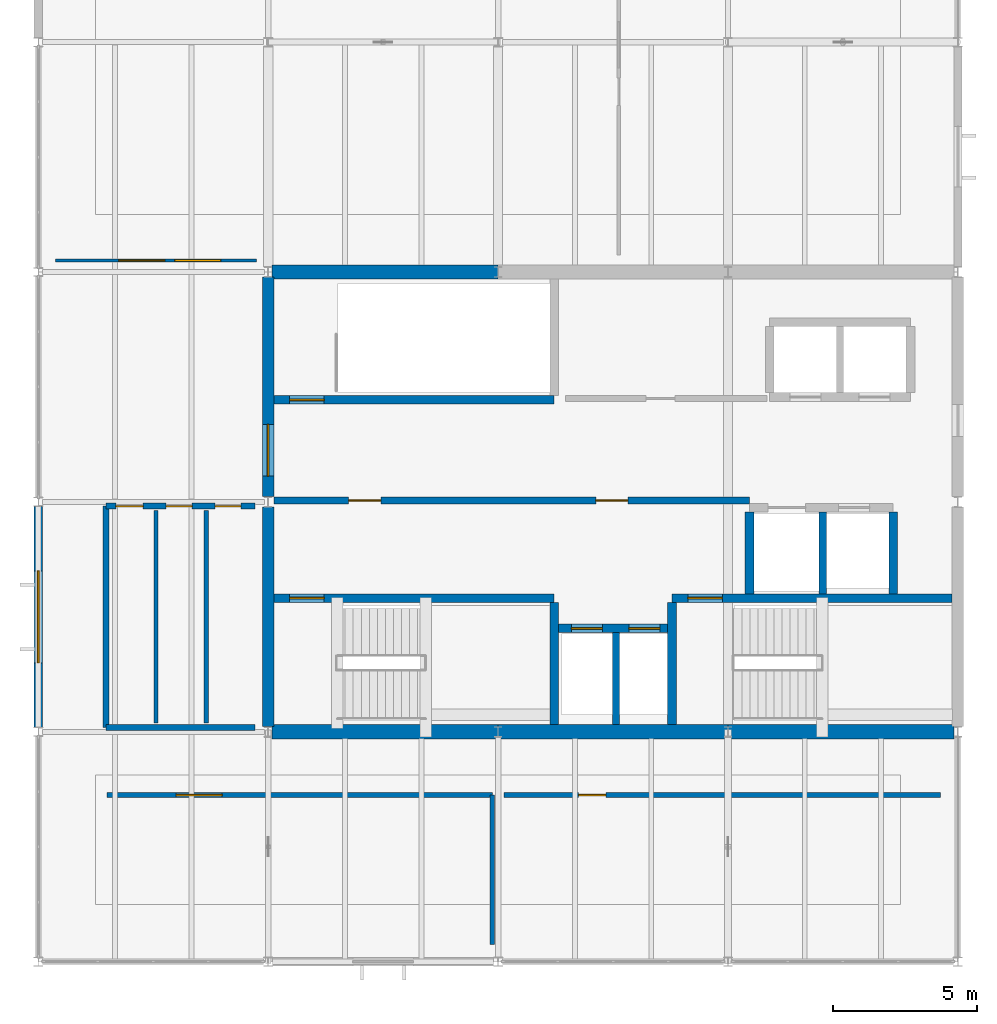
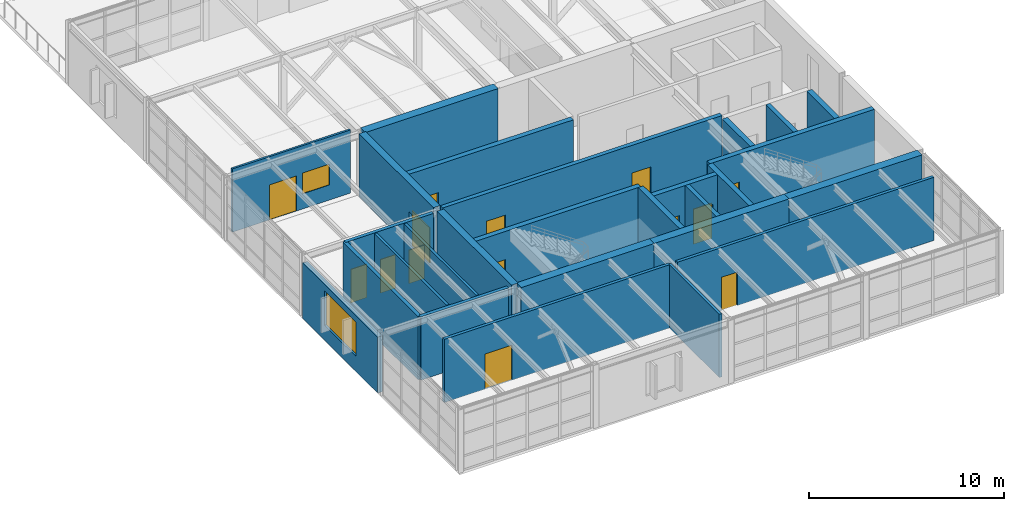
# One storey, part 13 of 15: 27 walls, 14 doors, 2 windows, 16 openings.
"""IFC4 building model written with IfcOpenShell, lengths in metres."""

from ifc_helpers import new_model, si_unit, direction, frame, frame_2d, origin, place, context, subcontext, project, spatial, rectangle, extrude, material, layer, layer_set, type_object, element, fill, save


model = new_model("IFC4")

# Units and contexts
model_context = context("Model", 3, precision=1e-05, world=origin(), true_north=direction((0.0, 1.0)))
body_context = subcontext(model_context, "Body", "Model", "MODEL_VIEW")
ifc_project = project(units=[si_unit("LENGTHUNIT", "METRE"), si_unit("AREAUNIT", "SQUARE_METRE"), si_unit("VOLUMEUNIT", "CUBIC_METRE"), si_unit("PLANEANGLEUNIT", "RADIAN"), si_unit("MASSUNIT", "GRAM", prefix="KILO")], contexts=[model_context])

# Site, building, storey
site_placement = place(None, origin())
site = spatial("IfcSite", under=ifc_project, at=site_placement, CompositionType="ELEMENT")
building_placement = place(site_placement, origin())
building = spatial("IfcBuilding", under=site, at=building_placement, Name="Varnela Railside Interchange", CompositionType="ELEMENT")
storey_placement = place(building_placement, frame((0.0, 0.0, 32.199951171875)))
storey = spatial("IfcBuildingStorey", under=building, at=storey_placement, Name="L07", CompositionType="ELEMENT", Elevation=32.199951171875)

# Walls
ifc_material_1 = material(Name="Gypsum acoustic board")
ifc_layer_1 = layer(ifc_material_1, 0.14990234375)
ifc_layer_set_1 = layer_set([ifc_layer_1], Name="Gypsum acoustic board")
wall_type_1 = type_object("IfcWallType", Name="Acoustic Drywall Partition IW-01", PredefinedType="PARTITIONING", material=ifc_layer_set_1)
for number, where, z_axis, x_axis, name in (
    (1, (8.10009765625, 54.300048828125, 0.0), (0.0, 0.0, 1.0), (0.0, 1.0, 0.0), "Acoustic Drywall Partition IW-01 (L07) (WL-1063)"),
    (2, (9.85009765625, 54.300048828125, 0.0), (0.0, 0.0, 1.0), (0.0, 1.0, 0.0), "Acoustic Drywall Partition IW-01 (L07) (WL-1064)"),
):
    element("IfcWall", number, at=place(storey_placement, frame(where, z_axis=z_axis, x_axis=x_axis)), inside=storey, type_object=wall_type_1, Name=name, PredefinedType="PARTITIONING", context=body_context, shape_type="SweptSolid", body=[
        extrude(rectangle(XDim=7.39990234375, YDim=0.14990234375, at=frame_2d((3.699951171875, 0.0))), origin(), (0.0, 0.0, 1.0), 3.9599609375),
    ])
wall_1_placement = place(storey_placement, frame((19.800048828125, 46.60009765625, 0.0), z_axis=(0.0, 0.0, 1.0), x_axis=(0.0, 1.0, 0.0)))
element("IfcWall", 3, at=wall_1_placement, inside=storey, type_object=wall_type_1, Name="Acoustic Drywall Partition IW-01 (L07) (WL-1057)", PredefinedType="PARTITIONING", context=body_context, shape_type="SweptSolid", body=[
    extrude(rectangle(XDim=5.199951171875, YDim=0.14990234375, at=frame_2d((2.60009765625, 0.0))), origin(), (0.0, 0.0, 1.0), 3.9599609375),
])
ifc_material_2 = material(Name="Concrete C50", Category="concrete")
ifc_layer_2 = layer(ifc_material_2, 0.39990234375)
ifc_layer_set_2 = layer_set([ifc_layer_2], Name="Concrete C50")
wall_type_2 = type_object("IfcWallType", Name="Core Coupling Shear Wall SW-02", PredefinedType="SHEAR", material=ifc_layer_set_2)
wall_2_placement = place(storey_placement, frame((12.0, 54.181396484375, 0.0), z_axis=(0.0, 0.0, 1.0), x_axis=(0.0, 1.0, 0.0)))
element("IfcWall", 4, at=wall_2_placement, inside=storey, type_object=wall_type_2, Name="Core Coupling Shear Wall SW-02 (L07) (WL-1049)", PredefinedType="SHEAR", context=body_context, shape_type="SweptSolid", body=[
    extrude(rectangle(XDim=7.63720703125, YDim=0.39990234375, at=frame_2d((3.818603515625, 0.0))), origin(), (0.0, 0.0, 1.0), 3.9599609375),
])

# Wall, opening, door
wall_3_placement = place(storey_placement, frame((12.0, 62.181396484375, 0.0), z_axis=(0.0, 0.0, 1.0), x_axis=(0.0, 1.0, 0.0)))
wall_3 = element("IfcWall", 5, at=wall_3_placement, inside=storey, type_object=wall_type_2, Name="Core Coupling Shear Wall SW-02 (L07) (WL-1050)", PredefinedType="SHEAR", context=body_context, shape_type="SweptSolid", body=[
    extrude(rectangle(XDim=7.63720703125, YDim=0.39990234375, at=frame_2d((3.818603515625, 0.0))), origin(), (0.0, 0.0, 1.0), 3.9599609375),
])
opening_1_placement = place(wall_3_placement, frame((0.718017578125, 0.0, 0.0)))
opening_1 = element("IfcOpeningElement", 6, at=opening_1_placement, cuts=wall_3, Name="Opening D-312", PredefinedType="OPENING", context=body_context, shape_type="SweptSolid", body=[
    extrude(rectangle(XDim=1.800048828125, YDim=2.199951171875, at=frame_2d((0.89990234375, 1.10009765625))), frame((0.0, 0.2099609375, 0.0), z_axis=(0.0, -1.0, 0.0), x_axis=(1.0, 0.0, 0.0)), (0.0, 0.0, 1.0), 0.419921875),
])
ifc_material_3 = material(Name="Steel AR 350 (350 MPa)", Category="steel")
door_type_1 = type_object("IfcDoorType", Name="DR-DBL-1800-FD60", OperationType="DOUBLE_DOOR_SINGLE_SWING", PredefinedType="DOOR", material=ifc_material_3)
door_1_placement = place(opening_1_placement, frame((1.800048828125, 0.0, 0.0), z_axis=(0.0, 0.0, 1.0), x_axis=(-1.0, 0.0, 0.0)))
door_1 = element("IfcDoor", 7, at=door_1_placement, inside=storey, type_object=door_type_1, Name="Door D-312", OperationType="DOUBLE_DOOR_SINGLE_SWING", OverallHeight=2.199951171875, OverallWidth=1.800048828125, PredefinedType="DOOR", context=body_context, shape_type="SweptSolid", body=[
    extrude(rectangle(XDim=1.800048828125, YDim=2.199951171875, at=frame_2d((0.89990234375, 1.10009765625))), frame((0.0, 0.02490234375, 0.0), z_axis=(0.0, -1.0, 0.0), x_axis=(1.0, 0.0, 0.0)), (0.0, 0.0, 1.0), 0.050048828125),
])
fill(opening_1, door_1)

# Walls
ifc_layer_3 = layer(ifc_material_2, 0.5)
ifc_layer_set_3 = layer_set([ifc_layer_3], Name="Concrete C50")
wall_type_3 = type_object("IfcWallType", Name="Core Primary Shear Wall SW-01", PredefinedType="SHEAR", material=ifc_layer_set_3)
wall_4_placement = place(storey_placement, frame((12.12841796875, 54.0, 0.0), z_axis=(0.0, 0.0, 1.0), x_axis=(1.0, 0.0, 0.0)))
element("IfcWall", 8, at=wall_4_placement, inside=storey, type_object=wall_type_3, Name="Core Primary Shear Wall SW-01 (L07) (WL-1040)", PredefinedType="SHEAR", context=body_context, shape_type="SweptSolid", body=[
    extrude(rectangle(XDim=7.87158203125, YDim=0.5, at=frame_2d((3.935791015625, 0.0))), origin(), (0.0, 0.0, 1.0), 3.9599609375),
])
wall_5_placement = place(storey_placement, frame((20.0, 54.0, 0.0), z_axis=(0.0, 0.0, 1.0), x_axis=(1.0, 0.0, 0.0)))
element("IfcWall", 9, at=wall_5_placement, inside=storey, type_object=wall_type_3, Name="Core Primary Shear Wall SW-01 (L07) (WL-1041)", PredefinedType="SHEAR", context=body_context, shape_type="SweptSolid", body=[
    extrude(rectangle(XDim=8.0, YDim=0.5, at=frame_2d((4.0, 0.0))), origin(), (0.0, 0.0, 1.0), 3.9599609375),
])
for number, where, z_axis, x_axis, name in (
    (10, (28.0, 54.0, 0.0), (0.0, 0.0, 1.0), (1.0, 0.0, 0.0), "Core Primary Shear Wall SW-01 (L07) (WL-1042)"),
    (11, (12.12841796875, 70.0, 0.0), (0.0, 0.0, 1.0), (1.0, 0.0, 0.0), "Core Primary Shear Wall SW-01 (L07) (WL-1037)"),
):
    element("IfcWall", number, at=place(storey_placement, frame(where, z_axis=z_axis, x_axis=x_axis)), inside=storey, type_object=wall_type_3, Name=name, PredefinedType="SHEAR", context=body_context, shape_type="SweptSolid", body=[
        extrude(rectangle(XDim=7.87158203125, YDim=0.5, at=frame_2d((3.935791015625, 0.0))), origin(), (0.0, 0.0, 1.0), 3.9599609375),
    ])

# Wall, opening, door
ifc_layer_4 = layer(ifc_material_1, 0.179931640625)
ifc_layer_set_4 = layer_set([ifc_layer_4], Name="Gypsum acoustic board")
wall_type_4 = type_object("IfcWallType", Name="Double-Stud Corridor Wall IW-02", PredefinedType="PARTITIONING", material=ifc_layer_set_4)
wall_6_placement = place(storey_placement, frame((6.39990234375, 51.800048828125, 0.0), z_axis=(0.0, 0.0, 1.0), x_axis=(1.0, 0.0, 0.0)))
wall_6 = element("IfcWall", 12, at=wall_6_placement, inside=storey, type_object=wall_type_4, Name="Double-Stud Corridor Wall IW-02 (L07) (WL-1058)", PredefinedType="PARTITIONING", context=body_context, shape_type="SweptSolid", body=[
    extrude(rectangle(XDim=13.400146484375, YDim=0.179931640625, at=frame_2d((6.7001953125, 0.0))), origin(), (0.0, 0.0, 1.0), 3.9599609375),
])
opening_2_placement = place(wall_6_placement, frame((2.39990234375, 0.0, 0.0)))
opening_2 = element("IfcOpeningElement", 13, at=opening_2_placement, cuts=wall_6, Name="Opening D-319", PredefinedType="OPENING", context=body_context, shape_type="SweptSolid", body=[
    extrude(rectangle(XDim=1.60009765625, YDim=2.199951171875, at=frame_2d((0.800048828125, 1.10009765625))), frame((0.0, 0.099853515625, 0.0), z_axis=(0.0, -1.0, 0.0), x_axis=(1.0, 0.0, 0.0)), (0.0, 0.0, 1.0), 0.199951171875),
])
ifc_material_4 = material(Name="Glass laminated double", Category="glass")
door_type_2 = type_object("IfcDoorType", Name="DR-DBL-1600", OperationType="DOUBLE_DOOR_SINGLE_SWING", PredefinedType="DOOR", material=ifc_material_4)
door_2_placement = place(opening_2_placement, origin())
door_2 = element("IfcDoor", 14, at=door_2_placement, inside=storey, type_object=door_type_2, Name="Door D-319", OperationType="DOUBLE_DOOR_SINGLE_SWING", OverallHeight=2.199951171875, OverallWidth=1.60009765625, PredefinedType="DOOR", context=body_context, shape_type="SweptSolid", body=[
    extrude(rectangle(XDim=1.60009765625, YDim=2.199951171875, at=frame_2d((0.800048828125, 1.10009765625))), frame((0.0, 0.02490234375, 0.0), z_axis=(0.0, -1.0, 0.0), x_axis=(1.0, 0.0, 0.0)), (0.0, 0.0, 1.0), 0.050048828125),
])
fill(opening_2, door_2)

wall_7_placement = place(storey_placement, frame((20.199951171875, 51.800048828125, 0.0), z_axis=(0.0, 0.0, 1.0), x_axis=(1.0, 0.0, 0.0)))
wall_7 = element("IfcWall", 15, at=wall_7_placement, inside=storey, type_object=wall_type_4, Name="Double-Stud Corridor Wall IW-02 (L07) (WL-1062)", PredefinedType="PARTITIONING", context=body_context, shape_type="SweptSolid", body=[
    extrude(rectangle(XDim=15.199951171875, YDim=0.179931640625, at=frame_2d((7.60009765625, 0.0))), origin(), (0.0, 0.0, 1.0), 3.9599609375),
])
opening_3_placement = place(wall_7_placement, frame((2.60009765625, 0.0, 0.0)))
opening_3 = element("IfcOpeningElement", 16, at=opening_3_placement, cuts=wall_7, Name="Opening D-320", PredefinedType="OPENING", context=body_context, shape_type="SweptSolid", body=[
    extrude(rectangle(XDim=0.949951171875, YDim=2.10009765625, at=frame_2d((0.47509765625, 1.050048828125))), frame((0.0, 0.099853515625, 0.0), z_axis=(0.0, -1.0, 0.0), x_axis=(1.0, 0.0, 0.0)), (0.0, 0.0, 1.0), 0.199951171875),
])
ifc_material_5 = material(Name="Timber solid core", Category="wood")
door_type_3 = type_object("IfcDoorType", Name="DR-SGL-950-ACC", OperationType="NOTDEFINED", PredefinedType="DOOR", material=ifc_material_5)
door_3_placement = place(opening_3_placement, origin())
door_3 = element("IfcDoor", 17, at=door_3_placement, inside=storey, type_object=door_type_3, Name="Door D-320", OperationType="SINGLE_SWING_RIGHT", OverallHeight=2.10009765625, OverallWidth=0.949951171875, PredefinedType="DOOR", context=body_context, shape_type="SweptSolid", body=[
    extrude(rectangle(XDim=0.949951171875, YDim=2.10009765625, at=frame_2d((0.47509765625, 1.050048828125))), frame((0.0, 0.02490234375, 0.0), z_axis=(0.0, -1.0, 0.0), x_axis=(1.0, 0.0, 0.0)), (0.0, 0.0, 1.0), 0.050048828125),
])
fill(opening_3, door_3)

# Wall, openings, door, window
ifc_layer_5 = layer(ifc_material_4, 0.1201171875)
ifc_layer_set_5 = layer_set([ifc_layer_5], Name="Glass laminated double")
wall_type_5 = type_object("IfcWallType", Name="Glazed Operations Partition IW-03", PredefinedType="PARTITIONING", material=ifc_layer_set_5)
wall_8_placement = place(storey_placement, frame((4.60009765625, 70.39990234375, 0.0), z_axis=(0.0, 0.0, 1.0), x_axis=(1.0, 0.0, 0.0)))
wall_8 = element("IfcWall", 18, at=wall_8_placement, inside=storey, type_object=wall_type_5, Name="Glazed Operations Partition IW-03 (L07) (WL-1061)", PredefinedType="PARTITIONING", context=body_context, shape_type="SweptSolid", body=[
    extrude(rectangle(XDim=7.0, YDim=0.1201171875, at=frame_2d((3.5, 0.0))), origin(), (0.0, 0.0, 1.0), 3.9599609375),
])
opening_4_placement = place(wall_8_placement, frame((2.199951171875, 0.0, 0.0)))
opening_4 = element("IfcOpeningElement", 19, at=opening_4_placement, cuts=wall_8, Name="Opening D-317", PredefinedType="OPENING", context=body_context, shape_type="SweptSolid", body=[
    extrude(rectangle(XDim=1.60009765625, YDim=2.199951171875, at=frame_2d((0.800048828125, 1.10009765625))), frame((0.0, 0.070068359375, 0.0), z_axis=(0.0, -1.0, 0.0), x_axis=(1.0, 0.0, 0.0)), (0.0, 0.0, 1.0), 0.14013671875),
])
opening_5_placement = place(wall_8_placement, frame((4.14990234375, 0.0, 0.949951171875)))
opening_5 = element("IfcOpeningElement", 20, at=opening_5_placement, cuts=wall_8, Name="Opening IW-026", PredefinedType="OPENING", context=body_context, shape_type="SweptSolid", body=[
    extrude(rectangle(XDim=1.60009765625, YDim=1.300048828125, at=frame_2d((0.800048828125, 0.64990234375))), frame((0.0, 0.070068359375, 0.0), z_axis=(0.0, -1.0, 0.0), x_axis=(1.0, 0.0, 0.0)), (0.0, 0.0, 1.0), 0.14013671875),
])
door_4_placement = place(opening_4_placement, origin())
door_4 = element("IfcDoor", 21, at=door_4_placement, inside=storey, type_object=door_type_2, Name="Door D-317", OperationType="DOUBLE_DOOR_SINGLE_SWING", OverallHeight=2.199951171875, OverallWidth=1.60009765625, PredefinedType="DOOR", context=body_context, shape_type="SweptSolid", body=[
    extrude(rectangle(XDim=1.60009765625, YDim=2.199951171875, at=frame_2d((0.800048828125, 1.10009765625))), frame((0.0, 0.02490234375, 0.0), z_axis=(0.0, -1.0, 0.0), x_axis=(1.0, 0.0, 0.0)), (0.0, 0.0, 1.0), 0.050048828125),
])
fill(opening_4, door_4)
window_type_1 = type_object("IfcWindowType", Name="Interior Acoustic Vision Window IW-WN1", PartitioningType="SINGLE_PANEL", PredefinedType="WINDOW", material=ifc_material_4)
window_1_placement = place(opening_5_placement, origin())
window_1 = element("IfcWindow", 22, at=window_1_placement, inside=storey, type_object=window_type_1, Name="Window IW-026", OverallHeight=1.300048828125, OverallWidth=1.60009765625, PartitioningType="SINGLE_PANEL", PredefinedType="WINDOW", context=body_context, shape_type="SweptSolid", body=[
    extrude(rectangle(XDim=1.60009765625, YDim=1.300048828125, at=frame_2d((0.800048828125, 0.64990234375))), frame((0.0, 0.030029296875, 0.0), z_axis=(0.0, -1.0, 0.0), x_axis=(1.0, 0.0, 0.0)), (0.0, 0.0, 1.0), 0.06005859375),
])
fill(opening_5, window_1)

# Wall, opening, window
ifc_material_6 = material(Name="Concrete C40 precast", Category="concrete")
ifc_layer_6 = layer(ifc_material_6, 0.280029296875)
ifc_layer_set_6 = layer_set([ifc_layer_6], Name="Concrete C40 precast")
wall_type_6 = type_object("IfcWallType", Name="Ribbed Precast Concrete Facade Wall EW-02", PredefinedType="STANDARD", material=ifc_layer_set_6)
wall_9_placement = place(storey_placement, frame((4.0, 54.154052734375, 0.0), z_axis=(0.0, 0.0, 1.0), x_axis=(0.0, 1.0, 0.0)))
wall_9 = element("IfcWall", 23, at=wall_9_placement, inside=storey, type_object=wall_type_6, Name="Ribbed Precast Concrete Facade Wall EW-02 (L07) (WL-1055)", PredefinedType="STANDARD", context=body_context, shape_type="SweptSolid", body=[
    extrude(rectangle(XDim=7.69189453125, YDim=0.280029296875, at=frame_2d((3.845947265625, 0.0))), origin(), (0.0, 0.0, 1.0), 3.5),
])
opening_6_placement = place(wall_9_placement, frame((2.24609375, 0.0, 0.949951171875)))
opening_6 = element("IfcOpeningElement", 24, at=opening_6_placement, cuts=wall_9, Name="Opening W-151", PredefinedType="OPENING", context=body_context, shape_type="SweptSolid", body=[
    extrude(rectangle(XDim=3.199951171875, YDim=2.14990234375, at=frame_2d((1.60009765625, 1.074951171875))), frame((0.0, 0.14990234375, 0.0), z_axis=(0.0, -1.0, 0.0), x_axis=(1.0, 0.0, 0.0)), (0.0, 0.0, 1.0), 0.300048828125),
])
window_type_2 = type_object("IfcWindowType", Name="OCC Panoramic Viewing Win WN-26", PartitioningType="SINGLE_PANEL", PredefinedType="WINDOW", material=ifc_material_4)
window_2_placement = place(opening_6_placement, origin())
window_2 = element("IfcWindow", 25, at=window_2_placement, inside=storey, type_object=window_type_2, Name="Window W-151", OverallHeight=2.14990234375, OverallWidth=3.199951171875, PartitioningType="SINGLE_PANEL", PredefinedType="WINDOW", context=body_context, shape_type="SweptSolid", body=[
    extrude(rectangle(XDim=3.199951171875, YDim=2.14990234375, at=frame_2d((1.60009765625, 1.074951171875))), frame((0.0, 0.030029296875, 0.0), z_axis=(0.0, -1.0, 0.0), x_axis=(1.0, 0.0, 0.0)), (0.0, 0.0, 1.0), 0.06005859375),
])
fill(opening_6, window_2)

# Wall, openings, doors
ifc_material_7 = material(Name="Masonry concrete block", Category="masonry")
ifc_layer_7 = layer(ifc_material_7, 0.2099609375)
ifc_layer_set_7 = layer_set([ifc_layer_7], Name="Masonry concrete block")
wall_type_7 = type_object("IfcWallType", Name="Sanitary Plumbing Chase Wall IW-04", PredefinedType="PLUMBINGWALL", material=ifc_layer_set_7)
wall_10_placement = place(storey_placement, frame((6.35009765625, 61.85009765625, 0.0), z_axis=(0.0, 0.0, 1.0), x_axis=(1.0, 0.0, 0.0)))
wall_10 = element("IfcWall", 26, at=wall_10_placement, inside=storey, type_object=wall_type_7, Name="Sanitary Plumbing Chase Wall IW-04 (L07) (WL-1065)", PredefinedType="PLUMBINGWALL", context=body_context, shape_type="SweptSolid", body=[
    extrude(rectangle(XDim=5.199951171875, YDim=0.2099609375, at=frame_2d((2.60009765625, 0.0))), origin(), (0.0, 0.0, 1.0), 3.9599609375),
])
opening_7_placement = place(wall_10_placement, frame((0.35009765625, 0.0, 0.0)))
opening_7 = element("IfcOpeningElement", 27, at=opening_7_placement, cuts=wall_10, Name="Opening D-314", PredefinedType="OPENING", context=body_context, shape_type="SweptSolid", body=[
    extrude(rectangle(XDim=0.949951171875, YDim=2.10009765625, at=frame_2d((0.47509765625, 1.050048828125))), frame((0.0, 0.114990234375, 0.0), z_axis=(0.0, -1.0, 0.0), x_axis=(1.0, 0.0, 0.0)), (0.0, 0.0, 1.0), 0.22998046875),
])
opening_8_placement = place(wall_10_placement, frame((2.10009765625, 0.0, 0.0)))
opening_8 = element("IfcOpeningElement", 28, at=opening_8_placement, cuts=wall_10, Name="Opening D-315", PredefinedType="OPENING", context=body_context, shape_type="SweptSolid", body=[
    extrude(rectangle(XDim=0.89990234375, YDim=2.10009765625, at=frame_2d((0.449951171875, 1.050048828125))), frame((0.0, 0.114990234375, 0.0), z_axis=(0.0, -1.0, 0.0), x_axis=(1.0, 0.0, 0.0)), (0.0, 0.0, 1.0), 0.22998046875),
])
opening_9_placement = place(wall_10_placement, frame((3.800048828125, 0.0, 0.0)))
opening_9 = element("IfcOpeningElement", 29, at=opening_9_placement, cuts=wall_10, Name="Opening D-316", PredefinedType="OPENING", context=body_context, shape_type="SweptSolid", body=[
    extrude(rectangle(XDim=0.89990234375, YDim=2.10009765625, at=frame_2d((0.449951171875, 1.050048828125))), frame((0.0, 0.114990234375, 0.0), z_axis=(0.0, -1.0, 0.0), x_axis=(1.0, 0.0, 0.0)), (0.0, 0.0, 1.0), 0.22998046875),
])
door_type_4 = type_object("IfcDoorType", Name="DR-SGL-900", OperationType="NOTDEFINED", PredefinedType="DOOR", material=ifc_material_5)
door_5_placement = place(opening_8_placement, origin())
door_5 = element("IfcDoor", 30, at=door_5_placement, inside=storey, type_object=door_type_4, Name="Door D-315", OperationType="SINGLE_SWING_LEFT", OverallHeight=2.10009765625, OverallWidth=0.89990234375, PredefinedType="DOOR", context=body_context, shape_type="SweptSolid", body=[
    extrude(rectangle(XDim=0.89990234375, YDim=2.10009765625, at=frame_2d((0.449951171875, 1.050048828125))), frame((0.0, 0.02490234375, 0.0), z_axis=(0.0, -1.0, 0.0), x_axis=(1.0, 0.0, 0.0)), (0.0, 0.0, 1.0), 0.050048828125),
])
fill(opening_8, door_5)
door_6_placement = place(opening_9_placement, origin())
door_6 = element("IfcDoor", 31, at=door_6_placement, inside=storey, type_object=door_type_4, Name="Door D-316", OperationType="SINGLE_SWING_RIGHT", OverallHeight=2.10009765625, OverallWidth=0.89990234375, PredefinedType="DOOR", context=body_context, shape_type="SweptSolid", body=[
    extrude(rectangle(XDim=0.89990234375, YDim=2.10009765625, at=frame_2d((0.449951171875, 1.050048828125))), frame((0.0, 0.02490234375, 0.0), z_axis=(0.0, -1.0, 0.0), x_axis=(1.0, 0.0, 0.0)), (0.0, 0.0, 1.0), 0.050048828125),
])
fill(opening_9, door_6)
door_7_placement = place(opening_7_placement, origin())
door_7 = element("IfcDoor", 32, at=door_7_placement, inside=storey, type_object=door_type_3, Name="Door D-314", OperationType="SINGLE_SWING_RIGHT", OverallHeight=2.10009765625, OverallWidth=0.949951171875, PredefinedType="DOOR", context=body_context, shape_type="SweptSolid", body=[
    extrude(rectangle(XDim=0.949951171875, YDim=2.10009765625, at=frame_2d((0.47509765625, 1.050048828125))), frame((0.0, 0.02490234375, 0.0), z_axis=(0.0, -1.0, 0.0), x_axis=(1.0, 0.0, 0.0)), (0.0, 0.0, 1.0), 0.050048828125),
])
fill(opening_7, door_7)

# Walls
wall_11_placement = place(storey_placement, frame((6.35009765625, 54.14990234375, 0.0), z_axis=(0.0, 0.0, 1.0), x_axis=(1.0, 0.0, 0.0)))
element("IfcWall", 33, at=wall_11_placement, inside=storey, type_object=wall_type_7, Name="Sanitary Plumbing Chase Wall IW-04 (L07) (WL-1066)", PredefinedType="PLUMBINGWALL", context=body_context, shape_type="SweptSolid", body=[
    extrude(rectangle(XDim=5.199951171875, YDim=0.2099609375, at=frame_2d((2.60009765625, 0.0))), origin(), (0.0, 0.0, 1.0), 3.9599609375),
])
wall_12_placement = place(storey_placement, frame((6.35009765625, 54.14990234375, 0.0), z_axis=(0.0, 0.0, 1.0), x_axis=(0.0, 1.0, 0.0)))
element("IfcWall", 34, at=wall_12_placement, inside=storey, type_object=wall_type_7, Name="Sanitary Plumbing Chase Wall IW-04 (L07) (WL-1067)", PredefinedType="PLUMBINGWALL", context=body_context, shape_type="SweptSolid", body=[
    extrude(rectangle(XDim=7.7001953125, YDim=0.2099609375, at=frame_2d((3.85009765625, 0.0))), origin(), (0.0, 0.0, 1.0), 3.9599609375),
])

# Wall, opening, door
ifc_layer_8 = layer(ifc_material_2, 0.300048828125)
ifc_layer_set_8 = layer_set([ifc_layer_8], Name="Concrete C50")
wall_type_8 = type_object("IfcWallType", Name="Stair & Lift Shaft Wall SW-03", PredefinedType="SHEAR", material=ifc_layer_set_8)
wall_13_placement = place(storey_placement, frame((12.199951171875, 58.64990234375, 0.0), z_axis=(0.0, 0.0, 1.0), x_axis=(1.0, 0.0, 0.0)))
wall_13 = element("IfcWall", 35, at=wall_13_placement, inside=storey, type_object=wall_type_8, Name="Stair & Lift Shaft Wall SW-03 (L07) (WL-1044)", PredefinedType="SHEAR", context=body_context, shape_type="SweptSolid", body=[
    extrude(rectangle(XDim=9.75, YDim=0.300048828125, at=frame_2d((4.875, 0.0))), origin(), (0.0, 0.0, 1.0), 3.9599609375),
])
opening_10_placement = place(wall_13_placement, frame((0.550048828125, 0.0, 0.0)))
opening_10 = element("IfcOpeningElement", 36, at=opening_10_placement, cuts=wall_13, Name="Opening D-307", PredefinedType="OPENING", context=body_context, shape_type="SweptSolid", body=[
    extrude(rectangle(XDim=1.199951171875, YDim=2.199951171875, at=frame_2d((0.60009765625, 1.10009765625))), frame((0.0, 0.159912109375, 0.0), z_axis=(0.0, -1.0, 0.0), x_axis=(1.0, 0.0, 0.0)), (0.0, 0.0, 1.0), 0.320068359375),
])
door_type_5 = type_object("IfcDoorType", Name="DR-SGL-1200-FD90", OperationType="NOTDEFINED", PredefinedType="DOOR", material=ifc_material_3)
door_8_placement = place(opening_10_placement, frame((1.199951171875, 0.0, 0.0), z_axis=(0.0, 0.0, 1.0), x_axis=(-1.0, 0.0, 0.0)))
door_8 = element("IfcDoor", 37, at=door_8_placement, inside=storey, type_object=door_type_5, Name="Door D-307", OperationType="SINGLE_SWING_RIGHT", OverallHeight=2.199951171875, OverallWidth=1.199951171875, PredefinedType="DOOR", context=body_context, shape_type="SweptSolid", body=[
    extrude(rectangle(XDim=1.199951171875, YDim=2.199951171875, at=frame_2d((0.60009765625, 1.10009765625))), frame((0.0, 0.02490234375, 0.0), z_axis=(0.0, -1.0, 0.0), x_axis=(1.0, 0.0, 0.0)), (0.0, 0.0, 1.0), 0.050048828125),
])
fill(opening_10, door_8)

# Wall
wall_14_placement = place(storey_placement, frame((21.949951171875, 54.25, 0.0), z_axis=(0.0, 0.0, 1.0), x_axis=(0.0, 1.0, 0.0)))
element("IfcWall", 38, at=wall_14_placement, inside=storey, type_object=wall_type_8, Name="Stair & Lift Shaft Wall SW-03 (L07) (WL-1043)", PredefinedType="SHEAR", context=body_context, shape_type="SweptSolid", body=[
    extrude(rectangle(XDim=4.25, YDim=0.300048828125, at=frame_2d((2.125, 0.0))), origin(), (0.0, 0.0, 1.0), 3.9599609375),
])

# Wall, opening, door
wall_15_placement = place(storey_placement, frame((26.050048828125, 58.64990234375, 0.0), z_axis=(0.0, 0.0, 1.0), x_axis=(1.0, 0.0, 0.0)))
wall_15 = element("IfcWall", 39, at=wall_15_placement, inside=storey, type_object=wall_type_8, Name="Stair & Lift Shaft Wall SW-03 (L07) (WL-1045)", PredefinedType="SHEAR", context=body_context, shape_type="SweptSolid", body=[
    extrude(rectangle(XDim=9.75, YDim=0.300048828125, at=frame_2d((4.875, 0.0))), origin(), (0.0, 0.0, 1.0), 3.9599609375),
])
opening_11_placement = place(wall_15_placement, frame((0.550048828125, 0.0, 0.0)))
opening_11 = element("IfcOpeningElement", 40, at=opening_11_placement, cuts=wall_15, Name="Opening D-308", PredefinedType="OPENING", context=body_context, shape_type="SweptSolid", body=[
    extrude(rectangle(XDim=1.199951171875, YDim=2.199951171875, at=frame_2d((0.60009765625, 1.10009765625))), frame((0.0, 0.159912109375, 0.0), z_axis=(0.0, -1.0, 0.0), x_axis=(1.0, 0.0, 0.0)), (0.0, 0.0, 1.0), 0.320068359375),
])
door_9_placement = place(opening_11_placement, frame((1.199951171875, 0.0, 0.0), z_axis=(0.0, 0.0, 1.0), x_axis=(-1.0, 0.0, 0.0)))
door_9 = element("IfcDoor", 41, at=door_9_placement, inside=storey, type_object=door_type_5, Name="Door D-308", OperationType="SINGLE_SWING_LEFT", OverallHeight=2.199951171875, OverallWidth=1.199951171875, PredefinedType="DOOR", context=body_context, shape_type="SweptSolid", body=[
    extrude(rectangle(XDim=1.199951171875, YDim=2.199951171875, at=frame_2d((0.60009765625, 1.10009765625))), frame((0.0, 0.02490234375, 0.0), z_axis=(0.0, -1.0, 0.0), x_axis=(1.0, 0.0, 0.0)), (0.0, 0.0, 1.0), 0.050048828125),
])
fill(opening_11, door_9)

# Wall
wall_16_placement = place(storey_placement, frame((26.050048828125, 54.25, 0.0), z_axis=(0.0, 0.0, 1.0), x_axis=(0.0, 1.0, 0.0)))
element("IfcWall", 42, at=wall_16_placement, inside=storey, type_object=wall_type_8, Name="Stair & Lift Shaft Wall SW-03 (L07) (WL-1046)", PredefinedType="SHEAR", context=body_context, shape_type="SweptSolid", body=[
    extrude(rectangle(XDim=4.25, YDim=0.300048828125, at=frame_2d((2.125, 0.0))), origin(), (0.0, 0.0, 1.0), 3.9599609375),
])

# Wall, openings, doors
wall_17_placement = place(storey_placement, frame((22.10009765625, 57.60009765625, 0.0), z_axis=(0.0, 0.0, 1.0), x_axis=(1.0, 0.0, 0.0)))
wall_17 = element("IfcWall", 43, at=wall_17_placement, inside=storey, type_object=wall_type_8, Name="Stair & Lift Shaft Wall SW-03 (L07) (WL-1027)", PredefinedType="SHEAR", context=body_context, shape_type="SweptSolid", body=[
    extrude(rectangle(XDim=3.949951171875, YDim=0.300048828125, at=frame_2d((1.97509765625, 0.0))), origin(), (0.0, 0.0, 1.0), 3.9599609375),
])
opening_12_placement = place(wall_17_placement, frame((0.449951171875, 0.0, 0.0)))
opening_12 = element("IfcOpeningElement", 44, at=opening_12_placement, cuts=wall_17, Name="Opening LD-090", PredefinedType="OPENING", context=body_context, shape_type="SweptSolid", body=[
    extrude(rectangle(XDim=1.080078125, YDim=2.199951171875, at=frame_2d((0.5400390625, 1.10009765625))), frame((0.0, 0.159912109375, 0.0), z_axis=(0.0, -1.0, 0.0), x_axis=(1.0, 0.0, 0.0)), (0.0, 0.0, 1.0), 0.320068359375),
])
opening_13_placement = place(wall_17_placement, frame((2.449951171875, 0.0, 0.0)))
opening_13 = element("IfcOpeningElement", 45, at=opening_13_placement, cuts=wall_17, Name="Opening LD-091", PredefinedType="OPENING", context=body_context, shape_type="SweptSolid", body=[
    extrude(rectangle(XDim=1.080078125, YDim=2.199951171875, at=frame_2d((0.5400390625, 1.10009765625))), frame((0.0, 0.159912109375, 0.0), z_axis=(0.0, -1.0, 0.0), x_axis=(1.0, 0.0, 0.0)), (0.0, 0.0, 1.0), 0.320068359375),
])
door_type_6 = type_object("IfcDoorType", Name="DR-LIFT-1080", OperationType="SLIDING_TO_LEFT", PredefinedType="DOOR", material=ifc_material_3)
door_10_placement = place(opening_12_placement, origin())
door_10 = element("IfcDoor", 46, at=door_10_placement, inside=storey, type_object=door_type_6, Name="Door LD-090", OperationType="SLIDING_TO_LEFT", OverallHeight=2.199951171875, OverallWidth=1.080078125, PredefinedType="DOOR", context=body_context, shape_type="SweptSolid", body=[
    extrude(rectangle(XDim=1.080078125, YDim=2.199951171875, at=frame_2d((0.5400390625, 1.10009765625))), frame((0.0, 0.02490234375, 0.0), z_axis=(0.0, -1.0, 0.0), x_axis=(1.0, 0.0, 0.0)), (0.0, 0.0, 1.0), 0.050048828125),
])
fill(opening_12, door_10)
door_11_placement = place(opening_13_placement, origin())
door_11 = element("IfcDoor", 47, at=door_11_placement, inside=storey, type_object=door_type_6, Name="Door LD-091", OperationType="SLIDING_TO_LEFT", OverallHeight=2.199951171875, OverallWidth=1.080078125, PredefinedType="DOOR", context=body_context, shape_type="SweptSolid", body=[
    extrude(rectangle(XDim=1.080078125, YDim=2.199951171875, at=frame_2d((0.5400390625, 1.10009765625))), frame((0.0, 0.02490234375, 0.0), z_axis=(0.0, -1.0, 0.0), x_axis=(1.0, 0.0, 0.0)), (0.0, 0.0, 1.0), 0.050048828125),
])
fill(opening_13, door_11)

# Walls
wall_18_placement = place(storey_placement, frame((24.10009765625, 54.25, 0.0), z_axis=(0.0, 0.0, 1.0), x_axis=(0.0, 1.0, 0.0)))
element("IfcWall", 48, at=wall_18_placement, inside=storey, type_object=wall_type_8, Name="Stair & Lift Shaft Wall SW-03 (L07) (WL-1026)", PredefinedType="SHEAR", context=body_context, shape_type="SweptSolid", body=[
    extrude(rectangle(XDim=3.199951171875, YDim=0.25, at=frame_2d((1.60009765625, 0.0))), origin(), (0.0, 0.0, 1.0), 3.9599609375),
])
for number, where, z_axis, x_axis, name in (
    (49, (28.75, 58.800048828125, 0.0), (0.0, 0.0, 1.0), (0.0, 1.0, 0.0), "Stair & Lift Shaft Wall SW-03 (L07) (WL-1031)"),
    (50, (33.75, 58.800048828125, 0.0), (0.0, 0.0, 1.0), (0.0, 1.0, 0.0), "Stair & Lift Shaft Wall SW-03 (L07) (WL-1029)"),
):
    element("IfcWall", number, at=place(storey_placement, frame(where, z_axis=z_axis, x_axis=x_axis)), inside=storey, type_object=wall_type_8, Name=name, PredefinedType="SHEAR", context=body_context, shape_type="SweptSolid", body=[
        extrude(rectangle(XDim=2.849853515625, YDim=0.300048828125, at=frame_2d((1.4248046875, 0.0))), origin(), (0.0, 0.0, 1.0), 3.9599609375),
    ])
wall_19_placement = place(storey_placement, frame((31.300048828125, 58.800048828125, 0.0), z_axis=(0.0, 0.0, 1.0), x_axis=(0.0, 1.0, 0.0)))
element("IfcWall", 51, at=wall_19_placement, inside=storey, type_object=wall_type_8, Name="Stair & Lift Shaft Wall SW-03 (L07) (WL-1028)", PredefinedType="SHEAR", context=body_context, shape_type="SweptSolid", body=[
    extrude(rectangle(XDim=2.849853515625, YDim=0.25, at=frame_2d((1.4248046875, 0.0))), origin(), (0.0, 0.0, 1.0), 3.9599609375),
])

# Wall, openings, doors
wall_20_placement = place(storey_placement, frame((12.199951171875, 62.050048828125, 0.0), z_axis=(0.0, 0.0, 1.0), x_axis=(1.0, 0.0, 0.0)))
wall_20 = element("IfcWall", 52, at=wall_20_placement, inside=storey, type_object=wall_type_8, Name="Stair & Lift Shaft Wall SW-03 (L07) (WL-1025)", PredefinedType="SHEAR", context=body_context, shape_type="SweptSolid", body=[
    extrude(rectangle(XDim=16.550048828125, YDim=0.25, at=frame_2d((8.27490234375, 0.0))), origin(), (0.0, 0.0, 1.0), 3.9599609375),
])
opening_14_placement = place(wall_20_placement, frame((2.60009765625, 0.0, 0.0)))
opening_14 = element("IfcOpeningElement", 53, at=opening_14_placement, cuts=wall_20, Name="Opening D-310", PredefinedType="OPENING", context=body_context, shape_type="SweptSolid", body=[
    extrude(rectangle(XDim=1.1201171875, YDim=2.219970703125, at=frame_2d((0.56005859375, 1.10986328125))), frame((0.0, 0.135009765625, 0.0), z_axis=(0.0, -1.0, 0.0), x_axis=(1.0, 0.0, 0.0)), (0.0, 0.0, 1.0), 0.27001953125),
])
opening_15_placement = place(wall_20_placement, frame((11.199951171875, 0.0, 0.0)))
opening_15 = element("IfcOpeningElement", 54, at=opening_15_placement, cuts=wall_20, Name="Opening D-311", PredefinedType="OPENING", context=body_context, shape_type="SweptSolid", body=[
    extrude(rectangle(XDim=1.1201171875, YDim=2.219970703125, at=frame_2d((0.56005859375, 1.10986328125))), frame((0.0, 0.135009765625, 0.0), z_axis=(0.0, -1.0, 0.0), x_axis=(1.0, 0.0, 0.0)), (0.0, 0.0, 1.0), 0.27001953125),
])
door_type_7 = type_object("IfcDoorType", Name="DR-SGL-1120-FD90", OperationType="NOTDEFINED", PredefinedType="DOOR", material=ifc_material_3)
door_12_placement = place(opening_14_placement, frame((1.1201171875, 0.0, 0.0), z_axis=(0.0, 0.0, 1.0), x_axis=(-1.0, 0.0, 0.0)))
door_12 = element("IfcDoor", 55, at=door_12_placement, inside=storey, type_object=door_type_7, Name="Door D-310", OperationType="SINGLE_SWING_LEFT", OverallHeight=2.219970703125, OverallWidth=1.1201171875, PredefinedType="DOOR", context=body_context, shape_type="SweptSolid", body=[
    extrude(rectangle(XDim=1.1201171875, YDim=2.219970703125, at=frame_2d((0.56005859375, 1.10986328125))), frame((0.0, 0.02490234375, 0.0), z_axis=(0.0, -1.0, 0.0), x_axis=(1.0, 0.0, 0.0)), (0.0, 0.0, 1.0), 0.050048828125),
])
fill(opening_14, door_12)
door_13_placement = place(opening_15_placement, frame((1.1201171875, 0.0, 0.0), z_axis=(0.0, 0.0, 1.0), x_axis=(-1.0, 0.0, 0.0)))
door_13 = element("IfcDoor", 56, at=door_13_placement, inside=storey, type_object=door_type_7, Name="Door D-311", OperationType="SINGLE_SWING_RIGHT", OverallHeight=2.219970703125, OverallWidth=1.1201171875, PredefinedType="DOOR", context=body_context, shape_type="SweptSolid", body=[
    extrude(rectangle(XDim=1.1201171875, YDim=2.219970703125, at=frame_2d((0.56005859375, 1.10986328125))), frame((0.0, 0.02490234375, 0.0), z_axis=(0.0, -1.0, 0.0), x_axis=(1.0, 0.0, 0.0)), (0.0, 0.0, 1.0), 0.050048828125),
])
fill(opening_15, door_13)

# Wall, opening, door
wall_21_placement = place(storey_placement, frame((12.199951171875, 65.550048828125, 0.0), z_axis=(0.0, 0.0, 1.0), x_axis=(1.0, 0.0, 0.0)))
wall_21 = element("IfcWall", 57, at=wall_21_placement, inside=storey, type_object=wall_type_8, Name="Stair & Lift Shaft Wall SW-03 (L07) (WL-1048)", PredefinedType="SHEAR", context=body_context, shape_type="SweptSolid", body=[
    extrude(rectangle(XDim=9.75, YDim=0.300048828125, at=frame_2d((4.875, 0.0))), origin(), (0.0, 0.0, 1.0), 3.9599609375),
])
opening_16_placement = place(wall_21_placement, frame((0.550048828125, 0.0, 0.0)))
opening_16 = element("IfcOpeningElement", 58, at=opening_16_placement, cuts=wall_21, Name="Opening D-309", PredefinedType="OPENING", context=body_context, shape_type="SweptSolid", body=[
    extrude(rectangle(XDim=1.199951171875, YDim=2.199951171875, at=frame_2d((0.60009765625, 1.10009765625))), frame((0.0, 0.159912109375, 0.0), z_axis=(0.0, -1.0, 0.0), x_axis=(1.0, 0.0, 0.0)), (0.0, 0.0, 1.0), 0.320068359375),
])
door_14_placement = place(opening_16_placement, origin())
door_14 = element("IfcDoor", 59, at=door_14_placement, inside=storey, type_object=door_type_5, Name="Door D-309", OperationType="SINGLE_SWING_RIGHT", OverallHeight=2.199951171875, OverallWidth=1.199951171875, PredefinedType="DOOR", context=body_context, shape_type="SweptSolid", body=[
    extrude(rectangle(XDim=1.199951171875, YDim=2.199951171875, at=frame_2d((0.60009765625, 1.10009765625))), frame((0.0, 0.02490234375, 0.0), z_axis=(0.0, -1.0, 0.0), x_axis=(1.0, 0.0, 0.0)), (0.0, 0.0, 1.0), 0.050048828125),
])
fill(opening_16, door_14)

save(model, "model.ifc")
